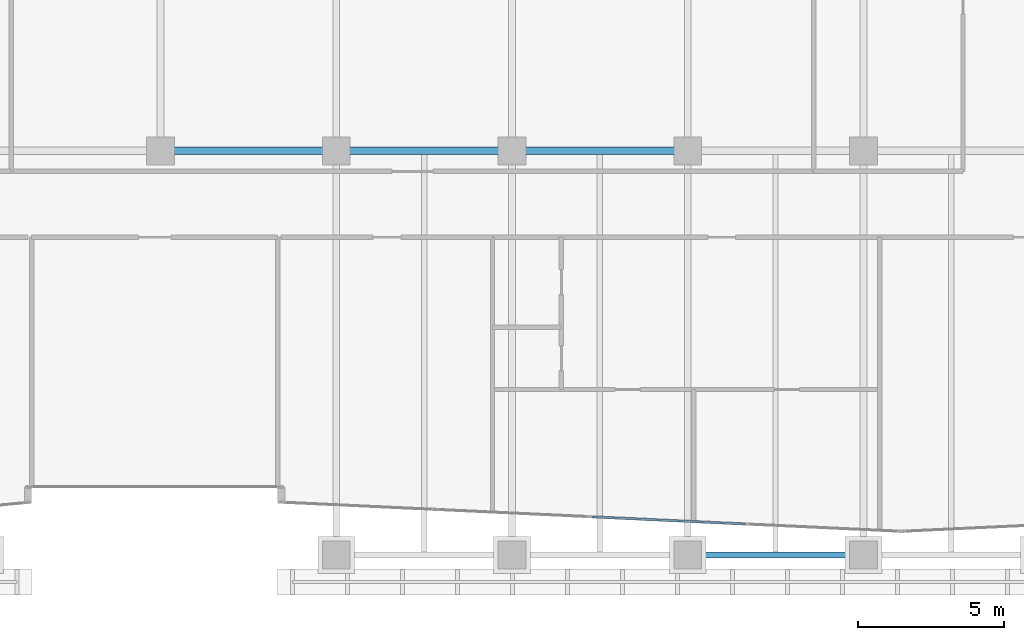
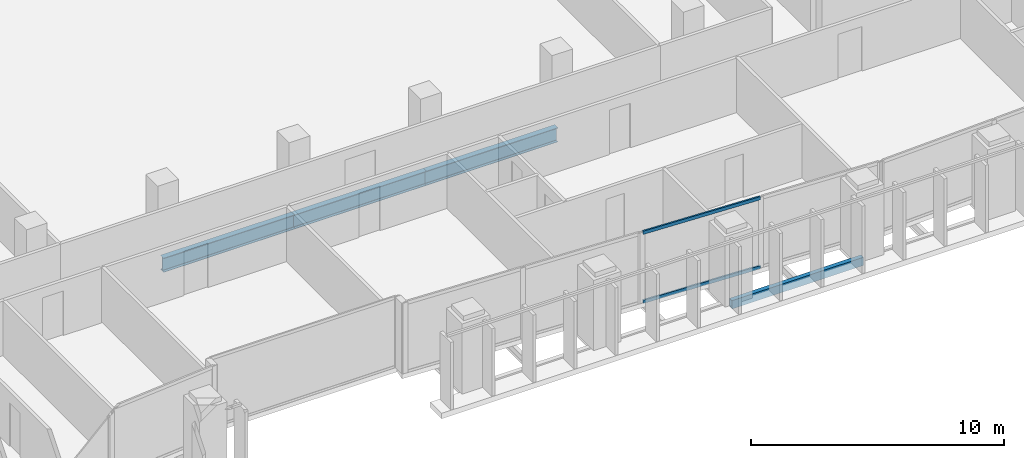
# One storey, part 8 of 39: 4 beams, 2 members, 1 element without a shape of its own.
"""IFC4 building model written with IfcOpenShell, lengths in metres."""

from ifc_helpers import new_model, si_unit, direction, frame, origin, origin_2d, place, context, subcontext, project, spatial, hollow_rectangle, i_section, extrude, material, layer, layer_set, material_profile, profile_set, type_object, element, aggregate, save


model = new_model("IFC4")

# Units and contexts
model_context = context("Model", 3, precision=1e-05, world=origin(), true_north=direction((0.0, 1.0)))
body_context = subcontext(model_context, "Body", "Model", "MODEL_VIEW")
ifc_project = project(units=[si_unit("LENGTHUNIT", "METRE"), si_unit("AREAUNIT", "SQUARE_METRE"), si_unit("VOLUMEUNIT", "CUBIC_METRE"), si_unit("PLANEANGLEUNIT", "RADIAN"), si_unit("MASSUNIT", "GRAM", prefix="KILO")], contexts=[model_context])

# Site, building, storey
site_placement = place(None, origin())
site = spatial("IfcSite", under=ifc_project, at=site_placement, CompositionType="ELEMENT")
building_placement = place(site_placement, origin())
building = spatial("IfcBuilding", under=site, at=building_placement, Name="Tanjung Sevakor Pilgrim Tower", CompositionType="ELEMENT")
storey_placement = place(building_placement, frame((0.0, 0.0, 112.199951171875)))
storey = spatial("IfcBuildingStorey", under=building, at=storey_placement, Name="L31", CompositionType="ELEMENT", Elevation=112.199951171875)

# Beams
ifc_material_1 = material(Name="Steel S355J2", Category="steel")
ifc_material_profile_1 = material_profile(ifc_material_1, i_section(OverallWidth=0.25439453125, OverallDepth=0.6875, WebThickness=0.01318359375, FlangeThickness=0.02099609375, FilletRadius=0.01513671875, at=origin_2d()))
ifc_profile_set_1 = profile_set([ifc_material_profile_1], Name="Steel S355J2")
beam_type_1 = type_object("IfcBeamType", Name="BM-B-G2-UB_686x254x152", PredefinedType="BEAM", material=ifc_profile_set_1)
for number, where, z_axis, x_axis, name in (
    (1, (48.0, 24.60009765625, -0.563720703125), (1.0, 0.0, 0.0), (0.0, 1.0, 0.0), "L31 Primary Floor Girder MAIN Y246-04"),
    (2, (54.0, 24.60009765625, -0.563720703125), (1.0, 0.0, 0.0), (0.0, 1.0, 0.0), "L31 Primary Floor Girder MAIN Y246-05"),
    (3, (60.0, 24.60009765625, -0.563720703125), (1.0, 0.0, 0.0), (0.0, 1.0, 0.0), "L31 Primary Floor Girder MAIN Y246-06"),
):
    element("IfcBeam", number, at=place(storey_placement, frame(where, z_axis=z_axis, x_axis=x_axis)), inside=storey, type_object=beam_type_1, Name=name, PredefinedType="BEAM", context=body_context, shape_type="SweptSolid", body=[
        extrude(i_section(OverallWidth=0.25439453125, OverallDepth=0.6875, WebThickness=0.01318359375, FlangeThickness=0.02099609375, FilletRadius=0.01513671875, at=origin_2d()), origin(), (0.0, 0.0, 1.0), 6.0),
    ])
ifc_material_2 = material(Name="Steel S355J2", Category="steel")
ifc_material_profile_2 = material_profile(ifc_material_2, hollow_rectangle(XDim=0.199951171875, YDim=0.39990234375, WallThickness=0.01611328125, at=origin_2d()))
ifc_profile_set_2 = profile_set([ifc_material_profile_2], Name="Steel S355J2")
beam_type_2 = type_object("IfcBeamType", Name="BM-B-SP2-RHS_400x200x16", PredefinedType="SPANDREL", material=ifc_profile_set_2)
beam_placement = place(storey_placement, frame((66.0, 10.800048828125, -0.419921875), z_axis=(1.0, 0.0, 0.0), x_axis=(0.0, 1.0, 0.0)))
element("IfcBeam", 4, at=beam_placement, inside=storey, type_object=beam_type_2, Name="L31 Spandrel MAIN S-11", PredefinedType="SPANDREL", context=body_context, shape_type="SweptSolid", body=[
    extrude(hollow_rectangle(XDim=0.199951171875, YDim=0.39990234375, WallThickness=0.01611328125, at=origin_2d()), origin(), (0.0, 0.0, 1.0), 6.0),
])

# Curtain wall, members
ifc_material_3 = material(Name="Aluminium 6063-T6 and Low-E Glass", Category="aluminium")
ifc_layer = layer(ifc_material_3, 0.199951171875)
ifc_layer_set = layer_set([ifc_layer], Name="CW-SYS-PRAY")
curtain_wall_type = type_object("IfcCurtainWallType", Name="CW-SYS-PRAY", PredefinedType="NOTDEFINED", material=ifc_layer_set)
curtain_wall_placement = place(storey_placement, origin())
curtain_wall = element("IfcCurtainWall", 5, at=curtain_wall_placement, inside=storey, type_object=curtain_wall_type, Name="L31 Curtain Wall CW-PRY-L31-10", PredefinedType="NOTDEFINED")
ifc_material_4 = material(Name="Aluminium 6063-T6", Category="aluminium")
ifc_material_profile_3 = material_profile(ifc_material_4, hollow_rectangle(XDim=0.074951171875, YDim=0.159912109375, WallThickness=0.00439453125, at=origin_2d()))
ifc_profile_set_3 = profile_set([ifc_material_profile_3], Name="Aluminium 6063-T6")
member_type = type_object("IfcMemberType", Name="TYPE-CWT-2", PredefinedType="USERDEFINED", material=ifc_profile_set_3)
member_1_placement = place(storey_placement, frame((62.730712890625, 12.101318359375, 0.03759765625), z_axis=(0.998899373751, -0.046904595928, 0.0), x_axis=(0.046904595928, 0.998899373751, 0.0)))
member_1 = element("IfcMember", 6, at=member_1_placement, type_object=member_type, Name="CW-PRY transom 1.1", ObjectType="TRANSOM", PredefinedType="USERDEFINED", context=body_context, shape_type="SweptSolid", body=[
    extrude(hollow_rectangle(XDim=0.074951171875, YDim=0.159912109375, WallThickness=0.00439453125, at=origin_2d()), origin(), (0.0, 0.0, 1.0), 5.215576171875),
])
member_2_placement = place(storey_placement, frame((62.730712890625, 12.101318359375, 3.37255859375), z_axis=(0.998899373751, -0.046904595928, 0.0), x_axis=(0.046904595928, 0.998899373751, 0.0)))
member_2 = element("IfcMember", 7, at=member_2_placement, type_object=member_type, Name="CW-PRY transom 1.2", ObjectType="TRANSOM", PredefinedType="USERDEFINED", context=body_context, shape_type="SweptSolid", body=[
    extrude(hollow_rectangle(XDim=0.074951171875, YDim=0.159912109375, WallThickness=0.00439453125, at=origin_2d()), origin(), (0.0, 0.0, 1.0), 5.215576171875),
])
aggregate(curtain_wall, [member_1, member_2])

save(model, "model.ifc")
